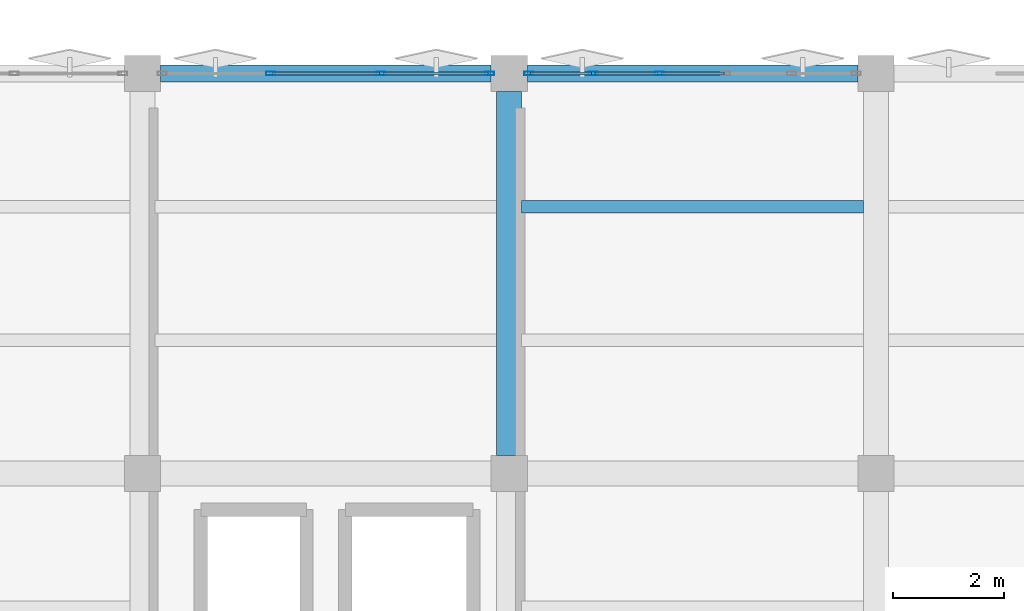
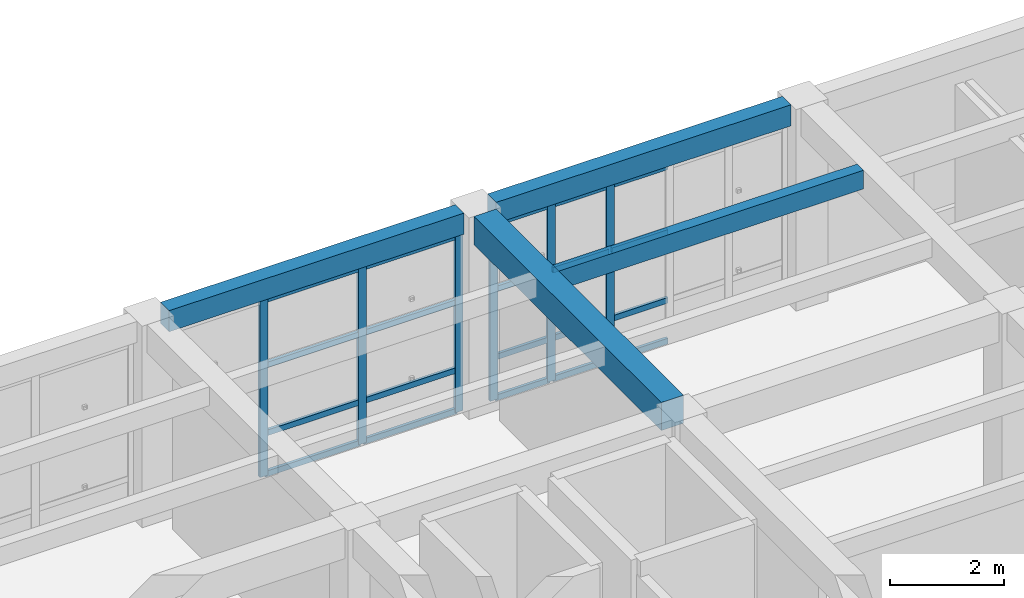
# One storey, part 16 of 39: 26 members, 4 beams, 2 elements without a shape of their own.
"""IFC4 building model written with IfcOpenShell, lengths in metres."""

from ifc_helpers import new_model, si_unit, direction, frame, origin, origin_2d, place, context, subcontext, project, spatial, rectangle, hollow_rectangle, extrude, material, layer, layer_set, material_profile, profile_set, type_object, element, aggregate, save


model = new_model("IFC4")

# Units and contexts
model_context = context("Model", 3, precision=1e-05, world=origin(), true_north=direction((0.0, 1.0)))
body_context = subcontext(model_context, "Body", "Model", "MODEL_VIEW")
ifc_project = project(units=[si_unit("LENGTHUNIT", "METRE"), si_unit("AREAUNIT", "SQUARE_METRE"), si_unit("VOLUMEUNIT", "CUBIC_METRE"), si_unit("PLANEANGLEUNIT", "RADIAN"), si_unit("MASSUNIT", "GRAM", prefix="KILO")], contexts=[model_context])

# Site, building, storey
site_placement = place(None, origin())
site = spatial("IfcSite", under=ifc_project, at=site_placement, CompositionType="ELEMENT")
building_placement = place(site_placement, origin())
building = spatial("IfcBuilding", under=site, at=building_placement, Name="Kharisveld Research Institute", CompositionType="ELEMENT")
storey_placement = place(building_placement, frame((0.0, 0.0, 18.60009765625)))
storey = spatial("IfcBuildingStorey", under=building, at=storey_placement, Name="L04", CompositionType="ELEMENT", Elevation=18.60009765625)

# Beam
ifc_material_1 = material(Name="Concrete C40/50", Category="concrete")
ifc_material_profile_1 = material_profile(ifc_material_1, rectangle(XDim=0.449951171875, YDim=0.60009765625, at=origin_2d()))
ifc_profile_set_1 = profile_set([ifc_material_profile_1], Name="Concrete C40/50")
beam_type_1 = type_object("IfcBeamType", Name="BM_RC_450x600", PredefinedType="BEAM", material=ifc_profile_set_1)
beam_1_placement = place(storey_placement, frame((141.0, 53.925048828125, 4.0), z_axis=(0.0, 1.0, 0.0), x_axis=(-1.0, 0.0, 0.0)))
element("IfcBeam", 1, at=beam_1_placement, inside=storey, type_object=beam_type_1, Name="BM:V2:L04:V4_2", PredefinedType="BEAM", context=body_context, shape_type="SweptSolid", body=[
    extrude(rectangle(XDim=0.449951171875, YDim=0.60009765625, at=origin_2d()), origin(), (0.0, 0.0, 1.0), 6.550048828125),
])

# Curtain wall, members
ifc_material_2 = material(Name="Thermally Broken Aluminium Curtain Wall", Category="aluminium")
ifc_layer_1 = layer(ifc_material_2, 0.159912109375)
ifc_layer_set_1 = layer_set([ifc_layer_1], Name="CW_SYS_06")
curtain_wall_type_1 = type_object("IfcCurtainWallType", Name="CW_SYS_06", PredefinedType="NOTDEFINED", material=ifc_layer_set_1)
curtain_wall_1_placement = place(storey_placement, origin())
curtain_wall_1 = element("IfcCurtainWall", 2, at=curtain_wall_1_placement, inside=storey, type_object=curtain_wall_type_1, Name="CW:V2:L04:N3", PredefinedType="NOTDEFINED")
ifc_material_3 = material(Name="Anodised Aluminium AW-6063-T6", Category="aluminium")
ifc_material_profile_2 = material_profile(ifc_material_3, hollow_rectangle(XDim=0.06494140625, YDim=0.159912109375, WallThickness=0.00390625, at=origin_2d()))
ifc_profile_set_2 = profile_set([ifc_material_profile_2], Name="Anodised Aluminium AW-6063-T6")
member_type_1 = type_object("IfcMemberType", Name="CW_MUL_160", PredefinedType="MULLION", material=ifc_profile_set_2)
member_1_placement = place(storey_placement, frame((136.706787109375, 60.800048828125, 0.0), z_axis=(0.0, 0.0, 1.0), x_axis=(0.0, 1.0, 0.0)))
member_1 = element("IfcMember", 3, at=member_1_placement, type_object=member_type_1, Name="CW-06 mullion 2", PredefinedType="MULLION", context=body_context, shape_type="SweptSolid", body=[
    extrude(hollow_rectangle(XDim=0.06494140625, YDim=0.159912109375, WallThickness=0.00390625, at=origin_2d()), origin(), (0.0, 0.0, 1.0), 3.77978515625),
])
member_2_placement = place(storey_placement, frame((138.693359375, 60.800048828125, 0.0), z_axis=(0.0, 0.0, 1.0), x_axis=(0.0, 1.0, 0.0)))
member_2 = element("IfcMember", 4, at=member_2_placement, type_object=member_type_1, Name="CW-06 mullion 3", PredefinedType="MULLION", context=body_context, shape_type="SweptSolid", body=[
    extrude(hollow_rectangle(XDim=0.06494140625, YDim=0.159912109375, WallThickness=0.00390625, at=origin_2d()), origin(), (0.0, 0.0, 1.0), 3.77978515625),
])
member_3_placement = place(storey_placement, frame((140.6474609375, 60.800048828125, 0.0), z_axis=(0.0, 0.0, 1.0), x_axis=(0.0, 1.0, 0.0)))
member_3 = element("IfcMember", 5, at=member_3_placement, type_object=member_type_1, Name="CW-06 mullion 4", PredefinedType="MULLION", context=body_context, shape_type="SweptSolid", body=[
    extrude(hollow_rectangle(XDim=0.06494140625, YDim=0.159912109375, WallThickness=0.00390625, at=origin_2d()), origin(), (0.0, 0.0, 1.0), 3.77978515625),
])

ifc_material_4 = material(Name="Thermally Broken Aluminium Curtain Wall", Category="aluminium")
ifc_layer_2 = layer(ifc_material_4, 0.159912109375)
ifc_layer_set_2 = layer_set([ifc_layer_2], Name="CW_SYS_01")
curtain_wall_type_2 = type_object("IfcCurtainWallType", Name="CW_SYS_01", PredefinedType="NOTDEFINED", material=ifc_layer_set_2)
curtain_wall_2_placement = place(storey_placement, origin())
curtain_wall_2 = element("IfcCurtainWall", 6, at=curtain_wall_2_placement, inside=storey, type_object=curtain_wall_type_2, Name="CW:V2:L04:N4", PredefinedType="NOTDEFINED")
member_4_placement = place(storey_placement, frame((141.3525390625, 60.800048828125, 0.0), z_axis=(0.0, 0.0, 1.0), x_axis=(0.0, 1.0, 0.0)))
member_4 = element("IfcMember", 7, at=member_4_placement, type_object=member_type_1, Name="CW-01 mullion 1", PredefinedType="MULLION", context=body_context, shape_type="SweptSolid", body=[
    extrude(hollow_rectangle(XDim=0.06494140625, YDim=0.159912109375, WallThickness=0.00390625, at=origin_2d()), origin(), (0.0, 0.0, 1.0), 3.77978515625),
])
member_5_placement = place(storey_placement, frame((142.511962890625, 60.800048828125, 0.0), z_axis=(0.0, 0.0, 1.0), x_axis=(0.0, 1.0, 0.0)))
member_5 = element("IfcMember", 8, at=member_5_placement, type_object=member_type_1, Name="CW-01 mullion 2", PredefinedType="MULLION", context=body_context, shape_type="SweptSolid", body=[
    extrude(hollow_rectangle(XDim=0.06494140625, YDim=0.159912109375, WallThickness=0.00390625, at=origin_2d()), origin(), (0.0, 0.0, 1.0), 3.77978515625),
])
member_6_placement = place(storey_placement, frame((143.7041015625, 60.800048828125, 0.0), z_axis=(0.0, 0.0, 1.0), x_axis=(0.0, 1.0, 0.0)))
member_6 = element("IfcMember", 9, at=member_6_placement, type_object=member_type_1, Name="CW-01 mullion 3", PredefinedType="MULLION", context=body_context, shape_type="SweptSolid", body=[
    extrude(hollow_rectangle(XDim=0.06494140625, YDim=0.159912109375, WallThickness=0.00390625, at=origin_2d()), origin(), (0.0, 0.0, 1.0), 3.77978515625),
])

# Member
ifc_material_5 = material(Name="Anodised Aluminium AW-6063-T6", Category="aluminium")
ifc_material_profile_3 = material_profile(ifc_material_5, hollow_rectangle(XDim=0.06005859375, YDim=0.1201171875, WallThickness=0.00390625, at=origin_2d()))
ifc_profile_set_3 = profile_set([ifc_material_profile_3], Name="Anodised Aluminium AW-6063-T6")
member_type_2 = type_object("IfcMemberType", Name="CW_TRN_120", PredefinedType="USERDEFINED", material=ifc_profile_set_3)
member_7_placement = place(storey_placement, frame((136.7392578125, 60.800048828125, 0.02978515625), z_axis=(1.0, 0.0, 0.0), x_axis=(0.0, 1.0, 0.0)))
member_7 = element("IfcMember", 10, at=member_7_placement, type_object=member_type_2, Name="CW-06 transom 2.1", ObjectType="TRANSOM", PredefinedType="USERDEFINED", context=body_context, shape_type="SweptSolid", body=[
    extrude(hollow_rectangle(XDim=0.06005859375, YDim=0.1201171875, WallThickness=0.00390625, at=origin_2d()), origin(), (0.0, 0.0, 1.0), 1.921630859375),
])

member_8_placement = place(storey_placement, frame((136.7392578125, 60.800048828125, 0.89990234375), z_axis=(1.0, 0.0, 0.0), x_axis=(0.0, 1.0, 0.0)))
member_8 = element("IfcMember", 11, at=member_8_placement, type_object=member_type_2, Name="CW-06 transom 2.2", ObjectType="TRANSOM", PredefinedType="USERDEFINED", context=body_context, shape_type="SweptSolid", body=[
    extrude(hollow_rectangle(XDim=0.06005859375, YDim=0.1201171875, WallThickness=0.00390625, at=origin_2d()), origin(), (0.0, 0.0, 1.0), 1.921630859375),
])

member_9_placement = place(storey_placement, frame((136.7392578125, 60.800048828125, 2.349853515625), z_axis=(1.0, 0.0, 0.0), x_axis=(0.0, 1.0, 0.0)))
member_9 = element("IfcMember", 12, at=member_9_placement, type_object=member_type_2, Name="CW-06 transom 2.3", ObjectType="TRANSOM", PredefinedType="USERDEFINED", context=body_context, shape_type="SweptSolid", body=[
    extrude(hollow_rectangle(XDim=0.06005859375, YDim=0.1201171875, WallThickness=0.00390625, at=origin_2d()), origin(), (0.0, 0.0, 1.0), 1.921630859375),
])

member_10_placement = place(storey_placement, frame((136.7392578125, 60.800048828125, 3.75), z_axis=(1.0, 0.0, 0.0), x_axis=(0.0, 1.0, 0.0)))
member_10 = element("IfcMember", 13, at=member_10_placement, type_object=member_type_2, Name="CW-06 transom 2.4", ObjectType="TRANSOM", PredefinedType="USERDEFINED", context=body_context, shape_type="SweptSolid", body=[
    extrude(hollow_rectangle(XDim=0.06005859375, YDim=0.1201171875, WallThickness=0.00390625, at=origin_2d()), origin(), (0.0, 0.0, 1.0), 1.921630859375),
])

member_11_placement = place(storey_placement, frame((138.725830078125, 60.800048828125, 0.02978515625), z_axis=(1.0, 0.0, 0.0), x_axis=(0.0, 1.0, 0.0)))
member_11 = element("IfcMember", 14, at=member_11_placement, type_object=member_type_2, Name="CW-06 transom 3.1", ObjectType="TRANSOM", PredefinedType="USERDEFINED", context=body_context, shape_type="SweptSolid", body=[
    extrude(hollow_rectangle(XDim=0.06005859375, YDim=0.1201171875, WallThickness=0.00390625, at=origin_2d()), origin(), (0.0, 0.0, 1.0), 1.88916015625),
])

member_12_placement = place(storey_placement, frame((138.725830078125, 60.800048828125, 0.89990234375), z_axis=(1.0, 0.0, 0.0), x_axis=(0.0, 1.0, 0.0)))
member_12 = element("IfcMember", 15, at=member_12_placement, type_object=member_type_2, Name="CW-06 transom 3.2", ObjectType="TRANSOM", PredefinedType="USERDEFINED", context=body_context, shape_type="SweptSolid", body=[
    extrude(hollow_rectangle(XDim=0.06005859375, YDim=0.1201171875, WallThickness=0.00390625, at=origin_2d()), origin(), (0.0, 0.0, 1.0), 1.88916015625),
])

member_13_placement = place(storey_placement, frame((138.725830078125, 60.800048828125, 2.349853515625), z_axis=(1.0, 0.0, 0.0), x_axis=(0.0, 1.0, 0.0)))
member_13 = element("IfcMember", 16, at=member_13_placement, type_object=member_type_2, Name="CW-06 transom 3.3", ObjectType="TRANSOM", PredefinedType="USERDEFINED", context=body_context, shape_type="SweptSolid", body=[
    extrude(hollow_rectangle(XDim=0.06005859375, YDim=0.1201171875, WallThickness=0.00390625, at=origin_2d()), origin(), (0.0, 0.0, 1.0), 1.88916015625),
])

member_14_placement = place(storey_placement, frame((138.725830078125, 60.800048828125, 3.75), z_axis=(1.0, 0.0, 0.0), x_axis=(0.0, 1.0, 0.0)))
member_14 = element("IfcMember", 17, at=member_14_placement, type_object=member_type_2, Name="CW-06 transom 3.4", ObjectType="TRANSOM", PredefinedType="USERDEFINED", context=body_context, shape_type="SweptSolid", body=[
    extrude(hollow_rectangle(XDim=0.06005859375, YDim=0.1201171875, WallThickness=0.00390625, at=origin_2d()), origin(), (0.0, 0.0, 1.0), 1.88916015625),
])

aggregate(curtain_wall_1, [member_1, member_2, member_3, member_7, member_8, member_9, member_10, member_11, member_12, member_13, member_14])

member_15_placement = place(storey_placement, frame((141.385009765625, 60.800048828125, 0.02978515625), z_axis=(1.0, 0.0, 0.0), x_axis=(0.0, 1.0, 0.0)))
member_15 = element("IfcMember", 18, at=member_15_placement, type_object=member_type_2, Name="CW-01 transom 1.1", ObjectType="TRANSOM", PredefinedType="USERDEFINED", context=body_context, shape_type="SweptSolid", body=[
    extrude(hollow_rectangle(XDim=0.06005859375, YDim=0.1201171875, WallThickness=0.00390625, at=origin_2d()), origin(), (0.0, 0.0, 1.0), 1.094482421875),
])

member_16_placement = place(storey_placement, frame((141.385009765625, 60.800048828125, 0.89990234375), z_axis=(1.0, 0.0, 0.0), x_axis=(0.0, 1.0, 0.0)))
member_16 = element("IfcMember", 19, at=member_16_placement, type_object=member_type_2, Name="CW-01 transom 1.2", ObjectType="TRANSOM", PredefinedType="USERDEFINED", context=body_context, shape_type="SweptSolid", body=[
    extrude(hollow_rectangle(XDim=0.06005859375, YDim=0.1201171875, WallThickness=0.00390625, at=origin_2d()), origin(), (0.0, 0.0, 1.0), 1.094482421875),
])

member_17_placement = place(storey_placement, frame((141.385009765625, 60.800048828125, 2.349853515625), z_axis=(1.0, 0.0, 0.0), x_axis=(0.0, 1.0, 0.0)))
member_17 = element("IfcMember", 20, at=member_17_placement, type_object=member_type_2, Name="CW-01 transom 1.3", ObjectType="TRANSOM", PredefinedType="USERDEFINED", context=body_context, shape_type="SweptSolid", body=[
    extrude(hollow_rectangle(XDim=0.06005859375, YDim=0.1201171875, WallThickness=0.00390625, at=origin_2d()), origin(), (0.0, 0.0, 1.0), 1.094482421875),
])

member_18_placement = place(storey_placement, frame((141.385009765625, 60.800048828125, 3.75), z_axis=(1.0, 0.0, 0.0), x_axis=(0.0, 1.0, 0.0)))
member_18 = element("IfcMember", 21, at=member_18_placement, type_object=member_type_2, Name="CW-01 transom 1.4", ObjectType="TRANSOM", PredefinedType="USERDEFINED", context=body_context, shape_type="SweptSolid", body=[
    extrude(hollow_rectangle(XDim=0.06005859375, YDim=0.1201171875, WallThickness=0.00390625, at=origin_2d()), origin(), (0.0, 0.0, 1.0), 1.094482421875),
])

member_19_placement = place(storey_placement, frame((142.54443359375, 60.800048828125, 0.02978515625), z_axis=(1.0, 0.0, 0.0), x_axis=(0.0, 1.0, 0.0)))
member_19 = element("IfcMember", 22, at=member_19_placement, type_object=member_type_2, Name="CW-01 transom 2.1", ObjectType="TRANSOM", PredefinedType="USERDEFINED", context=body_context, shape_type="SweptSolid", body=[
    extrude(hollow_rectangle(XDim=0.06005859375, YDim=0.1201171875, WallThickness=0.00390625, at=origin_2d()), origin(), (0.0, 0.0, 1.0), 1.126953125),
])

member_20_placement = place(storey_placement, frame((142.54443359375, 60.800048828125, 0.89990234375), z_axis=(1.0, 0.0, 0.0), x_axis=(0.0, 1.0, 0.0)))
member_20 = element("IfcMember", 23, at=member_20_placement, type_object=member_type_2, Name="CW-01 transom 2.2", ObjectType="TRANSOM", PredefinedType="USERDEFINED", context=body_context, shape_type="SweptSolid", body=[
    extrude(hollow_rectangle(XDim=0.06005859375, YDim=0.1201171875, WallThickness=0.00390625, at=origin_2d()), origin(), (0.0, 0.0, 1.0), 1.126953125),
])

member_21_placement = place(storey_placement, frame((142.54443359375, 60.800048828125, 2.349853515625), z_axis=(1.0, 0.0, 0.0), x_axis=(0.0, 1.0, 0.0)))
member_21 = element("IfcMember", 24, at=member_21_placement, type_object=member_type_2, Name="CW-01 transom 2.3", ObjectType="TRANSOM", PredefinedType="USERDEFINED", context=body_context, shape_type="SweptSolid", body=[
    extrude(hollow_rectangle(XDim=0.06005859375, YDim=0.1201171875, WallThickness=0.00390625, at=origin_2d()), origin(), (0.0, 0.0, 1.0), 1.126953125),
])

member_22_placement = place(storey_placement, frame((142.54443359375, 60.800048828125, 3.75), z_axis=(1.0, 0.0, 0.0), x_axis=(0.0, 1.0, 0.0)))
member_22 = element("IfcMember", 25, at=member_22_placement, type_object=member_type_2, Name="CW-01 transom 2.4", ObjectType="TRANSOM", PredefinedType="USERDEFINED", context=body_context, shape_type="SweptSolid", body=[
    extrude(hollow_rectangle(XDim=0.06005859375, YDim=0.1201171875, WallThickness=0.00390625, at=origin_2d()), origin(), (0.0, 0.0, 1.0), 1.126953125),
])

member_23_placement = place(storey_placement, frame((143.736572265625, 60.800048828125, 0.02978515625), z_axis=(1.0, 0.0, 0.0), x_axis=(0.0, 1.0, 0.0)))
member_23 = element("IfcMember", 26, at=member_23_placement, type_object=member_type_2, Name="CW-01 transom 3.1", ObjectType="TRANSOM", PredefinedType="USERDEFINED", context=body_context, shape_type="SweptSolid", body=[
    extrude(hollow_rectangle(XDim=0.06005859375, YDim=0.1201171875, WallThickness=0.00390625, at=origin_2d()), origin(), (0.0, 0.0, 1.0), 1.126953125),
])

member_24_placement = place(storey_placement, frame((143.736572265625, 60.800048828125, 0.89990234375), z_axis=(1.0, 0.0, 0.0), x_axis=(0.0, 1.0, 0.0)))
member_24 = element("IfcMember", 27, at=member_24_placement, type_object=member_type_2, Name="CW-01 transom 3.2", ObjectType="TRANSOM", PredefinedType="USERDEFINED", context=body_context, shape_type="SweptSolid", body=[
    extrude(hollow_rectangle(XDim=0.06005859375, YDim=0.1201171875, WallThickness=0.00390625, at=origin_2d()), origin(), (0.0, 0.0, 1.0), 1.126953125),
])

member_25_placement = place(storey_placement, frame((143.736572265625, 60.800048828125, 2.349853515625), z_axis=(1.0, 0.0, 0.0), x_axis=(0.0, 1.0, 0.0)))
member_25 = element("IfcMember", 28, at=member_25_placement, type_object=member_type_2, Name="CW-01 transom 3.3", ObjectType="TRANSOM", PredefinedType="USERDEFINED", context=body_context, shape_type="SweptSolid", body=[
    extrude(hollow_rectangle(XDim=0.06005859375, YDim=0.1201171875, WallThickness=0.00390625, at=origin_2d()), origin(), (0.0, 0.0, 1.0), 1.126953125),
])

member_26_placement = place(storey_placement, frame((143.736572265625, 60.800048828125, 3.75), z_axis=(1.0, 0.0, 0.0), x_axis=(0.0, 1.0, 0.0)))
member_26 = element("IfcMember", 29, at=member_26_placement, type_object=member_type_2, Name="CW-01 transom 3.4", ObjectType="TRANSOM", PredefinedType="USERDEFINED", context=body_context, shape_type="SweptSolid", body=[
    extrude(hollow_rectangle(XDim=0.06005859375, YDim=0.1201171875, WallThickness=0.00390625, at=origin_2d()), origin(), (0.0, 0.0, 1.0), 1.126953125),
])

aggregate(curtain_wall_2, [member_4, member_5, member_6, member_15, member_16, member_17, member_18, member_19, member_20, member_21, member_22, member_23, member_24, member_25, member_26])

# Beams
ifc_material_6 = material(Name="Concrete C40/50", Category="concrete")
ifc_material_profile_4 = material_profile(ifc_material_6, rectangle(XDim=0.300048828125, YDim=0.449951171875, at=origin_2d()))
ifc_profile_set_4 = profile_set([ifc_material_profile_4], Name="Concrete C40/50")
beam_type_2 = type_object("IfcBeamType", Name="SP_RC_300x450", PredefinedType="SPANDREL", material=ifc_profile_set_4)
for number, where, z_axis, x_axis, name in (
    (30, (134.72509765625, 60.800048828125, 4.074951171875), (1.0, 0.0, 0.0), (0.0, 1.0, 0.0), "BM:V2:L04:U3_3"),
    (31, (141.324951171875, 60.800048828125, 4.074951171875), (1.0, 0.0, 0.0), (0.0, 1.0, 0.0), "BM:V2:L04:U4_3"),
):
    element("IfcBeam", number, at=place(storey_placement, frame(where, z_axis=z_axis, x_axis=x_axis)), inside=storey, type_object=beam_type_2, Name=name, PredefinedType="SPANDREL", context=body_context, shape_type="SweptSolid", body=[
        extrude(rectangle(XDim=0.300048828125, YDim=0.449951171875, at=origin_2d()), origin(), (0.0, 0.0, 1.0), 5.949951171875),
    ])
ifc_material_7 = material(Name="Concrete C40/50", Category="concrete")
ifc_material_profile_5 = material_profile(ifc_material_7, rectangle(XDim=0.219970703125, YDim=0.39990234375, at=origin_2d()))
ifc_profile_set_5 = profile_set([ifc_material_profile_5], Name="Concrete C40/50")
beam_type_3 = type_object("IfcBeamType", Name="WB_RC_220x400", PredefinedType="JOIST", material=ifc_profile_set_5)
beam_2_placement = place(storey_placement, frame((141.22509765625, 58.39990234375, 4.099853515625), z_axis=(1.0, 0.0, 0.0), x_axis=(0.0, 1.0, 0.0)))
element("IfcBeam", 32, at=beam_2_placement, inside=storey, type_object=beam_type_3, Name="BM:V2:L04:J_4_2_R2", PredefinedType="JOIST", context=body_context, shape_type="SweptSolid", body=[
    extrude(rectangle(XDim=0.219970703125, YDim=0.39990234375, at=origin_2d()), origin(), (0.0, 0.0, 1.0), 6.14990234375),
])

save(model, "model.ifc")
